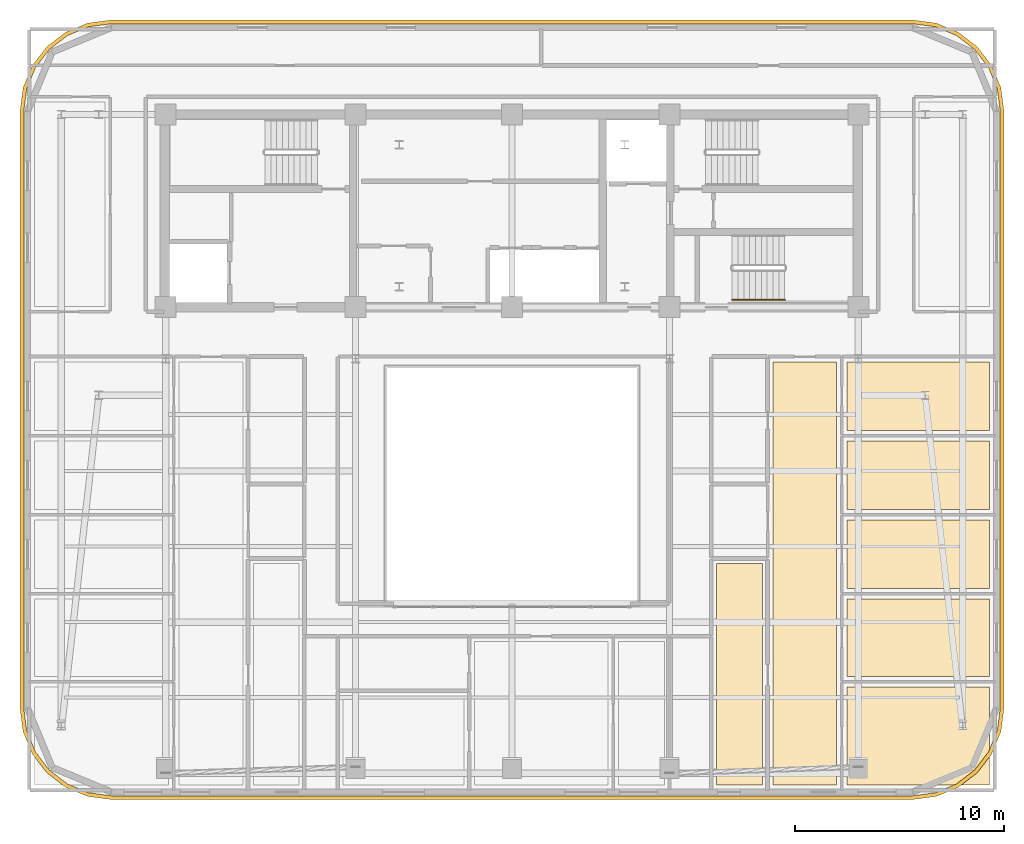
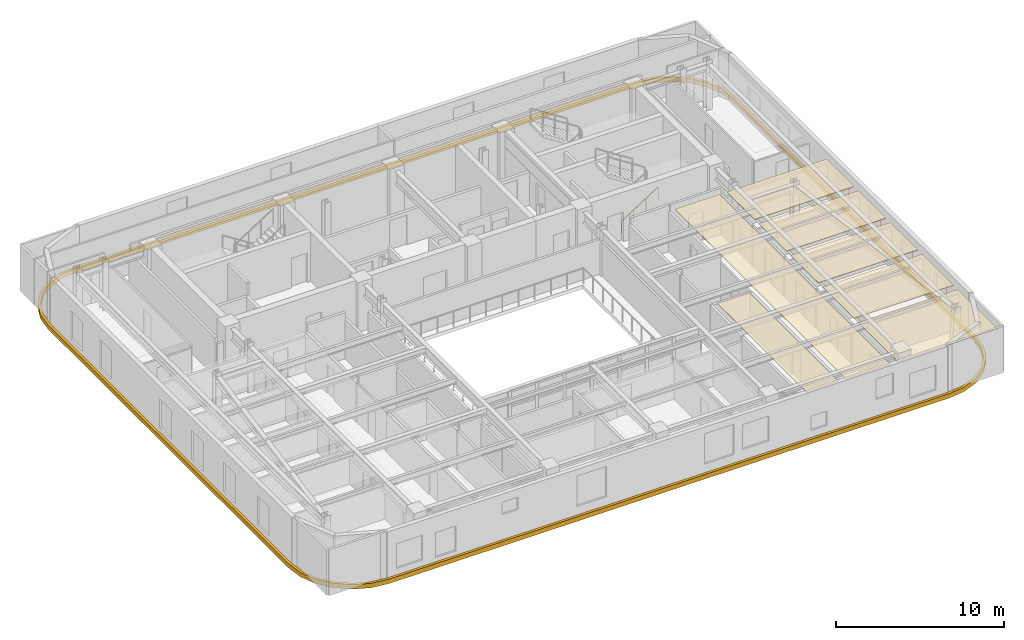
# One storey, part 13 of 14: 8 coverings, 1 railing.
"""IFC4 building model written with IfcOpenShell, lengths in metres."""

from ifc_helpers import new_model, si_unit, direction, frame, origin, origin_2d, place, context, subcontext, project, spatial, polyline, rectangle, outline, extrude, material, layer, layer_set, type_object, element, save


model = new_model("IFC4")

# Units and contexts
model_context = context("Model", 3, precision=1e-05, world=origin(), true_north=direction((0.0, 1.0)))
body_context = subcontext(model_context, "Body", "Model", "MODEL_VIEW")
ifc_project = project(units=[si_unit("LENGTHUNIT", "METRE"), si_unit("AREAUNIT", "SQUARE_METRE"), si_unit("VOLUMEUNIT", "CUBIC_METRE"), si_unit("PLANEANGLEUNIT", "RADIAN"), si_unit("MASSUNIT", "GRAM", prefix="KILO")], contexts=[model_context])

# Site, building, storey
site_placement = place(None, origin())
site = spatial("IfcSite", under=ifc_project, at=site_placement, CompositionType="ELEMENT")
building_placement = place(site_placement, origin())
building = spatial("IfcBuilding", under=site, at=building_placement, Name="Zarnavel Station Tower", CompositionType="ELEMENT")
storey_placement = place(building_placement, frame((0.0, 0.0, 225.60009765625)))
storey = spatial("IfcBuildingStorey", under=building, at=storey_placement, Name="L61", CompositionType="ELEMENT", Elevation=225.60009765625)

# Coverings
ifc_material_1 = material(Name="Perforated Gypsum and Mineral-Wool Acoustic Ceiling", Category="concrete")
ifc_layer = layer(ifc_material_1, 0.0400390625)
ifc_layer_set = layer_set([ifc_layer], Name="COV_CEIL_ACOUSTIC")
covering_type_1 = type_object("IfcCoveringType", Name="COV_CEIL_ACOUSTIC", PredefinedType="CEILING", material=ifc_layer_set)
covering_1_placement = place(storey_placement, frame((0.0, 0.0, 3.02001953125)))
element("IfcCovering", 1, at=covering_1_placement, inside=storey, type_object=covering_type_1, Name="L61 UE1LV Acoustic Ceiling", PredefinedType="CEILING", context=body_context, shape_type="SweptSolid", body=[
    extrude(outline(polyline([(41.300048828125, 4.909912109375), (44.35888671875, 4.909912109375), (44.35888671875, 25.199951171875), (41.300048828125, 25.199951171875), (41.300048828125, 4.909912109375)])), origin(), (0.0, 0.0, 1.0), 0.039794921875),
])
covering_2_placement = place(storey_placement, frame((0.0, 0.0, 3.02001953125)))
element("IfcCovering", 2, at=covering_2_placement, inside=storey, type_object=covering_type_1, Name="L61 UE1KT Acoustic Ceiling", PredefinedType="CEILING", context=body_context, shape_type="SweptSolid", body=[
    extrude(outline(polyline([(38.60009765625, 4.909912109375), (40.800048828125, 4.909912109375), (40.800048828125, 15.52099609375), (38.60009765625, 15.52099609375), (38.60009765625, 4.909912109375)])), origin(), (0.0, 0.0, 1.0), 0.039794921875),
])
covering_3_placement = place(storey_placement, frame((0.0, 0.0, 3.02001953125)))
element("IfcCovering", 3, at=covering_3_placement, inside=storey, type_object=covering_type_1, Name="L61 UE1B1 Acoustic Ceiling", PredefinedType="CEILING", context=body_context, shape_type="SweptSolid", body=[
    extrude(outline(polyline([(44.85888671875, 4.909912109375), (51.68994140625, 4.909912109375), (51.68994140625, 9.60693359375), (44.85888671875, 9.60693359375), (44.85888671875, 4.909912109375)])), origin(), (0.0, 0.0, 1.0), 0.039794921875),
])
covering_4_placement = place(storey_placement, frame((0.0, 0.0, 3.02001953125)))
element("IfcCovering", 4, at=covering_4_placement, inside=storey, type_object=covering_type_1, Name="L61 UE1B2 Acoustic Ceiling", PredefinedType="CEILING", context=body_context, shape_type="SweptSolid", body=[
    extrude(outline(polyline([(44.85888671875, 10.10693359375), (51.68994140625, 10.10693359375), (51.68994140625, 13.8349609375), (44.85888671875, 13.8349609375), (44.85888671875, 10.10693359375)])), origin(), (0.0, 0.0, 1.0), 0.039794921875),
])
covering_5_placement = place(storey_placement, frame((0.0, 0.0, 3.02001953125)))
element("IfcCovering", 5, at=covering_5_placement, inside=storey, type_object=covering_type_1, Name="L61 UE1B3 Acoustic Ceiling", PredefinedType="CEILING", context=body_context, shape_type="SweptSolid", body=[
    extrude(outline(polyline([(44.85888671875, 14.3349609375), (51.68994140625, 14.3349609375), (51.68994140625, 17.623046875), (44.85888671875, 17.623046875), (44.85888671875, 14.3349609375)])), origin(), (0.0, 0.0, 1.0), 0.039794921875),
])
covering_6_placement = place(storey_placement, frame((0.0, 0.0, 3.02001953125)))
element("IfcCovering", 6, at=covering_6_placement, inside=storey, type_object=covering_type_1, Name="L61 UE1B4 Acoustic Ceiling", PredefinedType="CEILING", context=body_context, shape_type="SweptSolid", body=[
    extrude(outline(polyline([(44.85888671875, 18.123046875), (51.68994140625, 18.123046875), (51.68994140625, 21.410888671875), (44.85888671875, 21.410888671875), (44.85888671875, 18.123046875)])), origin(), (0.0, 0.0, 1.0), 0.039794921875),
])
covering_7_placement = place(storey_placement, frame((0.0, 0.0, 3.02001953125)))
element("IfcCovering", 7, at=covering_7_placement, inside=storey, type_object=covering_type_1, Name="L61 UE1B5 Acoustic Ceiling", PredefinedType="CEILING", context=body_context, shape_type="SweptSolid", body=[
    extrude(outline(polyline([(44.85888671875, 21.910888671875), (51.68994140625, 21.910888671875), (51.68994140625, 25.199951171875), (44.85888671875, 25.199951171875), (44.85888671875, 21.910888671875)])), origin(), (0.0, 0.0, 1.0), 0.039794921875),
])
ifc_material_2 = material(Name="Precast concrete C45/55 (Pale Travertine Slab Band)", Category="masonry")
covering_type_2 = type_object("IfcCoveringType", Name="COV_TRAVERTINE_BAND", PredefinedType="CLADDING", material=ifc_material_2)
covering_8_placement = place(storey_placement, frame((0.0, 0.0, -0.260009765625)))
element("IfcCovering", 8, at=covering_8_placement, inside=storey, type_object=covering_type_2, Name="L61 Pale Travertine Slab-Edge Band", PredefinedType="CLADDING", context=body_context, shape_type="SweptSolid", body=[
    extrude(outline(polyline([(48.0, 4.219970703125), (49.133544921875, 4.369140625), (50.18994140625, 4.806884765625), (51.09716796875, 5.5029296875), (51.793212890625, 6.409912109375), (52.230712890625, 7.46630859375), (52.3798828125, 8.60009765625), (52.3798828125, 37.199951171875), (52.230712890625, 38.33349609375), (51.793212890625, 39.389892578125), (51.09716796875, 40.297119140625), (50.18994140625, 40.9931640625), (49.133544921875, 41.430908203125), (48.0, 41.580078125), (9.60009765625, 41.580078125), (8.46630859375, 41.430908203125), (7.409912109375, 40.9931640625), (6.5029296875, 40.297119140625), (5.806884765625, 39.389892578125), (5.369140625, 38.33349609375), (5.219970703125, 37.199951171875), (5.219970703125, 8.60009765625), (5.369140625, 7.46630859375), (5.806884765625, 6.409912109375), (6.5029296875, 5.5029296875), (7.409912109375, 4.806884765625), (8.46630859375, 4.369140625), (9.60009765625, 4.219970703125), (48.0, 4.219970703125)]), holes=[polyline([(48.0, 4.39990234375), (49.0869140625, 4.543212890625), (50.10009765625, 4.962646484375), (50.9697265625, 5.630126953125), (51.63720703125, 6.5), (52.056884765625, 7.512939453125), (52.199951171875, 8.60009765625), (52.199951171875, 37.199951171875), (52.056884765625, 38.287109375), (51.63720703125, 39.300048828125), (50.9697265625, 40.169921875), (50.10009765625, 40.83740234375), (49.0869140625, 41.2568359375), (48.0, 41.39990234375), (9.60009765625, 41.39990234375), (8.512939453125, 41.2568359375), (7.5, 40.83740234375), (6.630126953125, 40.169921875), (5.962646484375, 39.300048828125), (5.543212890625, 38.287109375), (5.39990234375, 37.199951171875), (5.39990234375, 8.60009765625), (5.543212890625, 7.512939453125), (5.962646484375, 6.5), (6.630126953125, 5.630126953125), (7.5, 4.962646484375), (8.512939453125, 4.543212890625), (9.60009765625, 4.39990234375), (48.0, 4.39990234375)])]), origin(), (0.0, 0.0, 1.0), 0.31982421875),
])

# Railing
ifc_material_3 = material(Name="Brushed Stainless Steel S355J2 Handrail", Category="steel")
railing_type = type_object("IfcRailingType", Name="HR_STAIR_900", PredefinedType="HANDRAIL", material=ifc_material_3)
railing_placement = place(storey_placement, frame((39.35009765625, 28.169921875, 0.179931640625)))
element("IfcRailing", 9, at=railing_placement, inside=storey, type_object=railing_type, Name="L61 ST3 stair handrail 1", PredefinedType="HANDRAIL", context=body_context, shape_type="SweptSolid", body=[
    extrude(rectangle(XDim=0.048095703125, YDim=0.048095703125, at=origin_2d()), frame((0.001708984375, 0.0, 0.876953125), z_axis=(0.841199657755, 0.0, 0.540724639528), x_axis=(0.0, 1.0, 0.0)), (0.0, 0.0, 1.0), 2.99169921875),
    extrude(rectangle(XDim=0.0419921875, YDim=0.0419921875, at=origin_2d()), origin(), (0.0, 0.0, 1.0), 0.851806640625),
    extrude(rectangle(XDim=0.0419921875, YDim=0.0419921875, at=origin_2d()), frame((0.840087890625, 0.0, 0.5400390625)), (0.0, 0.0, 1.0), 0.851806640625),
    extrude(rectangle(XDim=0.0419921875, YDim=0.0419921875, at=origin_2d()), frame((1.679931640625, 0.0, 1.079833984375)), (0.0, 0.0, 1.0), 0.851806640625),
    extrude(rectangle(XDim=0.0419921875, YDim=0.0419921875, at=origin_2d()), frame((2.52001953125, 0.0, 1.619873046875)), (0.0, 0.0, 1.0), 0.851806640625),
])

save(model, "model.ifc")
